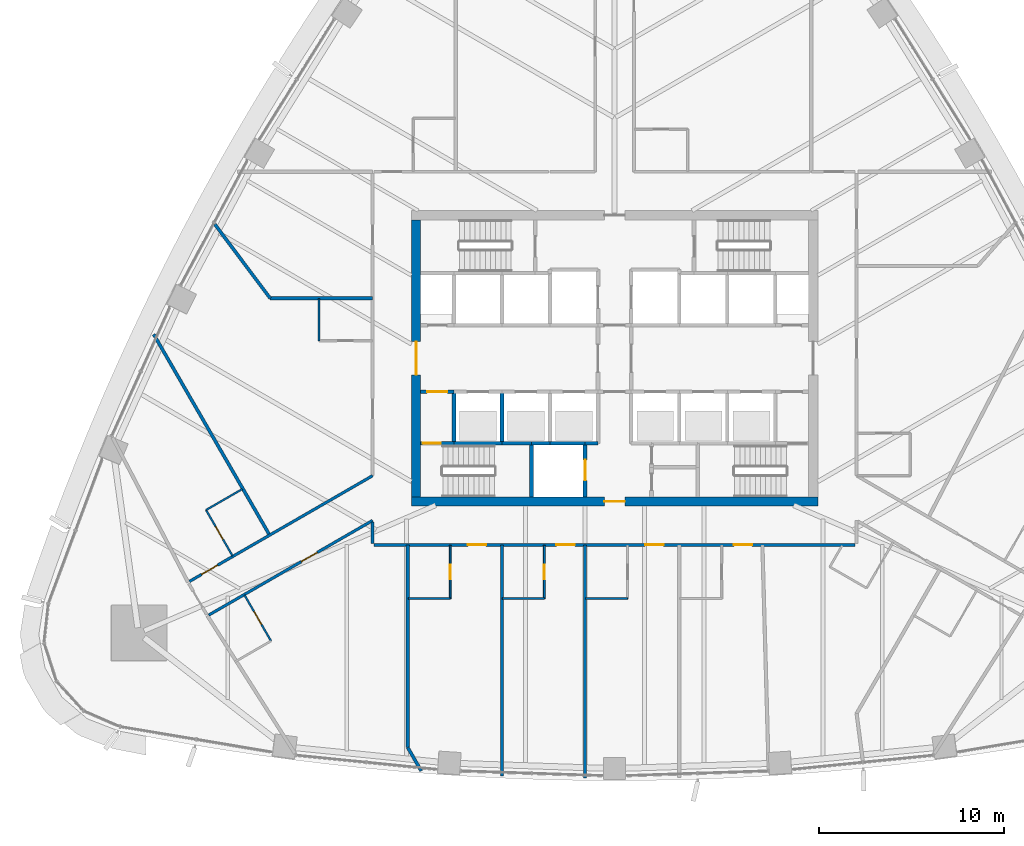
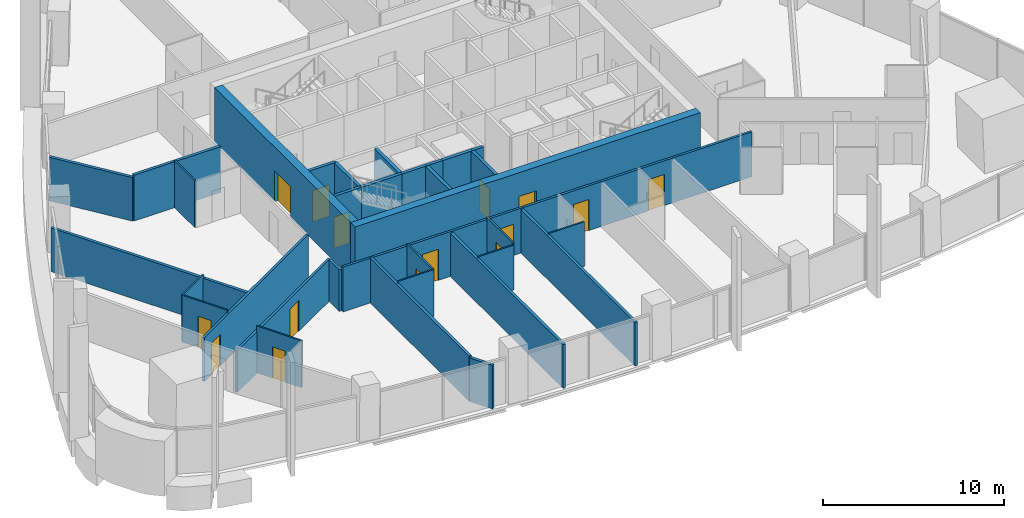
# One storey, part 10 of 22: 33 walls, 15 doors, 15 openings.
"""IFC4 building model written with IfcOpenShell, lengths in metres."""

from ifc_helpers import new_model, si_unit, direction, frame, frame_2d, origin, place, context, subcontext, project, spatial, rectangle, extrude, material, layer, layer_set, type_object, element, fill, save


model = new_model("IFC4")

# Units and contexts
model_context = context("Model", 3, precision=1e-05, world=origin(), true_north=direction((0.0, 1.0)))
body_context = subcontext(model_context, "Body", "Model", "MODEL_VIEW")
ifc_project = project(units=[si_unit("LENGTHUNIT", "METRE"), si_unit("AREAUNIT", "SQUARE_METRE"), si_unit("VOLUMEUNIT", "CUBIC_METRE"), si_unit("PLANEANGLEUNIT", "RADIAN"), si_unit("MASSUNIT", "GRAM", prefix="KILO")], contexts=[model_context])

# Site, building, storey
site_placement = place(None, origin())
site = spatial("IfcSite", under=ifc_project, at=site_placement, CompositionType="ELEMENT")
building_placement = place(site_placement, origin())
building = spatial("IfcBuilding", under=site, at=building_placement, Name="Sierra Prisma Convention Tower", CompositionType="ELEMENT")
storey_placement = place(building_placement, frame((0.0, 0.0, 96.10009765625)))
storey = spatial("IfcBuildingStorey", under=building, at=storey_placement, Name="L20", CompositionType="ELEMENT", Elevation=96.10009765625)

# Wall, opening, door
ifc_material_1 = material(Name="Gypsum board partition", Category="gypsum")
ifc_layer_1 = layer(ifc_material_1, 0.10009765625)
ifc_layer_set_1 = layer_set([ifc_layer_1], Name="Bathroom partition 100")
wall_type_1 = type_object("IfcWallType", Name="Bathroom partition 100", PredefinedType="PARTITIONING", material=ifc_layer_set_1)
wall_1_placement = place(storey_placement, frame((-20.682861328125, -10.694091796875, 0.0), z_axis=(0.0, 0.0, 1.0), x_axis=(-0.500036638401, 0.866004249561, 0.0)))
wall_1 = element("IfcWall", 1, at=wall_1_placement, inside=storey, type_object=wall_type_1, Name="Partition L20 bath 1", PredefinedType="PARTITIONING", context=body_context, shape_type="SweptSolid", body=[
    extrude(rectangle(XDim=2.869873046875, YDim=0.10009765625, at=frame_2d((1.43505859375, 0.0))), origin(), (0.0, 0.0, 1.0), 3.14990234375),
])
opening_1_placement = place(wall_1_placement, frame((1.034912109375, 0.0, 0.0)))
opening_1 = element("IfcOpeningElement", 2, at=opening_1_placement, cuts=wall_1, Name="Opening L20-D005", PredefinedType="OPENING", context=body_context, shape_type="SweptSolid", body=[
    extrude(rectangle(XDim=0.800048828125, YDim=2.10009765625, at=frame_2d((0.39990234375, 1.050048828125))), frame((0.0, 0.050048828125, 0.0), z_axis=(0.0, -1.0, 0.0), x_axis=(1.0, 0.0, 0.0)), (0.0, 0.0, 1.0), 0.10009765625),
])
ifc_material_2 = material(Name="Solid core timber door leaf", Category="wood")
door_type_1 = type_object("IfcDoorType", Name="Door 800x2100 plain", OperationType="SINGLE_SWING_LEFT", PredefinedType="DOOR", material=ifc_material_2)
door_1_placement = place(opening_1_placement, origin())
door_1 = element("IfcDoor", 3, at=door_1_placement, inside=storey, type_object=door_type_1, Name="Door L20 13", OperationType="SINGLE_SWING_LEFT", OverallHeight=2.10009765625, OverallWidth=0.800048828125, PredefinedType="DOOR", context=body_context, shape_type="SweptSolid", body=[
    extrude(rectangle(XDim=0.800048828125, YDim=2.10009765625, at=frame_2d((0.39990234375, 1.050048828125))), frame((0.0, 0.02490234375, 0.0), z_axis=(0.0, -1.0, 0.0), x_axis=(1.0, 0.0, 0.0)), (0.0, 0.0, 1.0), 0.050048828125),
])
fill(opening_1, door_1)

# Wall
wall_2_placement = place(storey_placement, frame((-22.117919921875, -8.208740234375, 0.0), z_axis=(0.0, 0.0, 1.0), x_axis=(0.866017224141, 0.500014167291, 0.0)))
element("IfcWall", 4, at=wall_2_placement, inside=storey, type_object=wall_type_1, Name="Partition L20 bath 2", PredefinedType="PARTITIONING", context=body_context, shape_type="SweptSolid", body=[
    extrude(rectangle(XDim=2.27001953125, YDim=0.10009765625, at=frame_2d((1.135009765625, 0.0))), origin(), (0.0, 0.0, 1.0), 3.14990234375),
])

# Wall, opening, door
wall_3_placement = place(storey_placement, frame((-20.035888671875, -12.814697265625, 0.0), z_axis=(0.0, 0.0, 1.0), x_axis=(0.499999802827, -0.866025517622, 0.0)))
wall_3 = element("IfcWall", 5, at=wall_3_placement, inside=storey, type_object=wall_type_1, Name="Partition L20 bath 3", PredefinedType="PARTITIONING", context=body_context, shape_type="SweptSolid", body=[
    extrude(rectangle(XDim=2.8701171875, YDim=0.10009765625, at=frame_2d((1.43505859375, 0.0))), origin(), (0.0, 0.0, 1.0), 3.14990234375),
])
opening_2_placement = place(wall_3_placement, frame((1.034912109375, 0.0, 0.0)))
opening_2 = element("IfcOpeningElement", 6, at=opening_2_placement, cuts=wall_3, Name="Opening L20-D006", PredefinedType="OPENING", context=body_context, shape_type="SweptSolid", body=[
    extrude(rectangle(XDim=0.800048828125, YDim=2.10009765625, at=frame_2d((0.39990234375, 1.050048828125))), frame((0.0, 0.050048828125, 0.0), z_axis=(0.0, -1.0, 0.0), x_axis=(1.0, 0.0, 0.0)), (0.0, 0.0, 1.0), 0.10009765625),
])
door_2_placement = place(opening_2_placement, origin())
door_2 = element("IfcDoor", 7, at=door_2_placement, inside=storey, type_object=door_type_1, Name="Door L20 16", OperationType="SINGLE_SWING_RIGHT", OverallHeight=2.10009765625, OverallWidth=0.800048828125, PredefinedType="DOOR", context=body_context, shape_type="SweptSolid", body=[
    extrude(rectangle(XDim=0.800048828125, YDim=2.10009765625, at=frame_2d((0.39990234375, 1.050048828125))), frame((0.0, 0.02490234375, 0.0), z_axis=(0.0, -1.0, 0.0), x_axis=(1.0, 0.0, 0.0)), (0.0, 0.0, 1.0), 0.050048828125),
])
fill(opening_2, door_2)

# Wall
wall_4_placement = place(storey_placement, frame((-16.0, 0.94921875, 0.0), z_axis=(0.0, 0.0, 1.0), x_axis=(0.0, 1.0, 0.0)))
element("IfcWall", 8, at=wall_4_placement, inside=storey, type_object=wall_type_1, Name="Partition L20 bath 6", PredefinedType="PARTITIONING", context=body_context, shape_type="SweptSolid", body=[
    extrude(rectangle(XDim=2.269775390625, YDim=0.10009765625, at=frame_2d((1.134765625, 0.0))), origin(), (0.0, 0.0, 1.0), 3.14990234375),
])

# Wall, opening, door
wall_5_placement = place(storey_placement, frame((-8.89990234375, -10.1298828125, 0.0), z_axis=(0.0, 0.0, 1.0), x_axis=(0.0, -1.0, 0.0)))
wall_5 = element("IfcWall", 9, at=wall_5_placement, inside=storey, type_object=wall_type_1, Name="Partition L20 bath 7", PredefinedType="PARTITIONING", context=body_context, shape_type="SweptSolid", body=[
    extrude(rectangle(XDim=2.8701171875, YDim=0.10009765625, at=frame_2d((1.43505859375, 0.0))), origin(), (0.0, 0.0, 1.0), 3.14990234375),
])
opening_3_placement = place(wall_5_placement, frame((1.034912109375, 0.0, 0.0)))
opening_3 = element("IfcOpeningElement", 10, at=opening_3_placement, cuts=wall_5, Name="Opening L20-D007", PredefinedType="OPENING", context=body_context, shape_type="SweptSolid", body=[
    extrude(rectangle(XDim=0.800048828125, YDim=2.10009765625, at=frame_2d((0.39990234375, 1.050048828125))), frame((0.0, 0.050048828125, 0.0), z_axis=(0.0, -1.0, 0.0), x_axis=(1.0, 0.0, 0.0)), (0.0, 0.0, 1.0), 0.10009765625),
])
door_3_placement = place(opening_3_placement, origin())
door_3 = element("IfcDoor", 11, at=door_3_placement, inside=storey, type_object=door_type_1, Name="Door L20 18", OperationType="SINGLE_SWING_RIGHT", OverallHeight=2.10009765625, OverallWidth=0.800048828125, PredefinedType="DOOR", context=body_context, shape_type="SweptSolid", body=[
    extrude(rectangle(XDim=0.800048828125, YDim=2.10009765625, at=frame_2d((0.39990234375, 1.050048828125))), frame((0.0, 0.02490234375, 0.0), z_axis=(0.0, -1.0, 0.0), x_axis=(1.0, 0.0, 0.0)), (0.0, 0.0, 1.0), 0.050048828125),
])
fill(opening_3, door_3)

# Wall
wall_6_placement = place(storey_placement, frame((-8.89990234375, -13.0, 0.0), z_axis=(0.0, 0.0, 1.0), x_axis=(-1.0, 0.0, 0.0)))
element("IfcWall", 12, at=wall_6_placement, inside=storey, type_object=wall_type_1, Name="Partition L20 bath 8", PredefinedType="PARTITIONING", context=body_context, shape_type="SweptSolid", body=[
    extrude(rectangle(XDim=2.27001953125, YDim=0.10009765625, at=frame_2d((1.135009765625, 0.0))), origin(), (0.0, 0.0, 1.0), 3.14990234375),
])

# Wall, opening, door
wall_7_placement = place(storey_placement, frame((-3.800048828125, -10.1298828125, 0.0), z_axis=(0.0, 0.0, 1.0), x_axis=(0.0, -1.0, 0.0)))
wall_7 = element("IfcWall", 13, at=wall_7_placement, inside=storey, type_object=wall_type_1, Name="Partition L20 bath 11", PredefinedType="PARTITIONING", context=body_context, shape_type="SweptSolid", body=[
    extrude(rectangle(XDim=2.8701171875, YDim=0.10009765625, at=frame_2d((1.43505859375, 0.0))), origin(), (0.0, 0.0, 1.0), 3.14990234375),
])
opening_4_placement = place(wall_7_placement, frame((1.034912109375, 0.0, 0.0)))
opening_4 = element("IfcOpeningElement", 14, at=opening_4_placement, cuts=wall_7, Name="Opening L20-D008", PredefinedType="OPENING", context=body_context, shape_type="SweptSolid", body=[
    extrude(rectangle(XDim=0.800048828125, YDim=2.10009765625, at=frame_2d((0.39990234375, 1.050048828125))), frame((0.0, 0.050048828125, 0.0), z_axis=(0.0, -1.0, 0.0), x_axis=(1.0, 0.0, 0.0)), (0.0, 0.0, 1.0), 0.10009765625),
])
door_4_placement = place(opening_4_placement, origin())
door_4 = element("IfcDoor", 15, at=door_4_placement, inside=storey, type_object=door_type_1, Name="Door L20 20", OperationType="SINGLE_SWING_LEFT", OverallHeight=2.10009765625, OverallWidth=0.800048828125, PredefinedType="DOOR", context=body_context, shape_type="SweptSolid", body=[
    extrude(rectangle(XDim=0.800048828125, YDim=2.10009765625, at=frame_2d((0.39990234375, 1.050048828125))), frame((0.0, 0.02490234375, 0.0), z_axis=(0.0, -1.0, 0.0), x_axis=(1.0, 0.0, 0.0)), (0.0, 0.0, 1.0), 0.050048828125),
])
fill(opening_4, door_4)

# Walls
for number, where, z_axis, x_axis, name in (
    (16, (-3.800048828125, -13.0, 0.0), (0.0, 0.0, 1.0), (-1.0, 0.0, 0.0), "Partition L20 bath 12"),
    (17, (0.699951171875, -13.0, 0.0), (0.0, 0.0, 1.0), (-1.0, 0.0, 0.0), "Partition L20 bath 14"),
):
    element("IfcWall", number, at=place(storey_placement, frame(where, z_axis=z_axis, x_axis=x_axis)), inside=storey, type_object=wall_type_1, Name=name, PredefinedType="PARTITIONING", context=body_context, shape_type="SweptSolid", body=[
        extrude(rectangle(XDim=2.27001953125, YDim=0.10009765625, at=frame_2d((1.135009765625, 0.0))), origin(), (0.0, 0.0, 1.0), 3.016845703125),
    ])

# Wall, opening, door
ifc_material_3 = material(Name="Concrete C30/37", Category="concrete")
ifc_layer_2 = layer(ifc_material_3, 0.199951171875)
ifc_layer_set_2 = layer_set([ifc_layer_2], Name="Core wall RC 200 C30/37")
wall_type_2 = type_object("IfcWallType", Name="Core wall RC 200 C30/37", PredefinedType="SOLIDWALL", material=ifc_layer_set_2)
wall_8_placement = place(storey_placement, frame((-10.5, -4.60009765625, 0.0), z_axis=(0.0, 0.0, 1.0), x_axis=(1.0, 0.0, 0.0)))
wall_8 = element("IfcWall", 18, at=wall_8_placement, inside=storey, type_object=wall_type_2, Name="Core wall L20 1", PredefinedType="SOLIDWALL", context=body_context, shape_type="SweptSolid", body=[
    extrude(rectangle(XDim=1.800048828125, YDim=0.199951171875, at=frame_2d((0.89990234375, 0.0))), origin(), (0.0, 0.0, 1.0), 3.5498046875),
])
opening_5_placement = place(wall_8_placement, frame((0.10009765625, 0.0, 0.0)))
opening_5 = element("IfcOpeningElement", 19, at=opening_5_placement, cuts=wall_8, Name="Opening L20-D032", PredefinedType="OPENING", context=body_context, shape_type="SweptSolid", body=[
    extrude(rectangle(XDim=1.0, YDim=2.10009765625, at=frame_2d((0.5, 1.050048828125))), frame((0.0, 0.10009765625, 0.0), z_axis=(0.0, -1.0, 0.0), x_axis=(1.0, 0.0, 0.0)), (0.0, 0.0, 1.0), 0.199951171875),
])
ifc_material_4 = material(Name="Steel fire door leaf", Category="steel")
door_type_2 = type_object("IfcDoorType", Name="Door 1000x2100 FD90S", OperationType="SINGLE_SWING_LEFT", PredefinedType="DOOR", material=ifc_material_4)
door_5_placement = place(opening_5_placement, origin())
door_5 = element("IfcDoor", 20, at=door_5_placement, inside=storey, type_object=door_type_2, Name="Door L20 51", OperationType="SINGLE_SWING_LEFT", OverallHeight=2.10009765625, OverallWidth=1.0, PredefinedType="DOOR", context=body_context, shape_type="SweptSolid", body=[
    extrude(rectangle(XDim=1.0, YDim=2.10009765625, at=frame_2d((0.5, 1.050048828125))), frame((0.0, 0.02490234375, 0.0), z_axis=(0.0, -1.0, 0.0), x_axis=(1.0, 0.0, 0.0)), (0.0, 0.0, 1.0), 0.050048828125),
])
fill(opening_5, door_5)

wall_9_placement = place(storey_placement, frame((-10.5, -1.800048828125, 0.0), z_axis=(0.0, 0.0, 1.0), x_axis=(1.0, 0.0, 0.0)))
wall_9 = element("IfcWall", 21, at=wall_9_placement, inside=storey, type_object=wall_type_2, Name="Core wall L20 2", PredefinedType="SOLIDWALL", context=body_context, shape_type="SweptSolid", body=[
    extrude(rectangle(XDim=1.800048828125, YDim=0.199951171875, at=frame_2d((0.89990234375, 0.0))), origin(), (0.0, 0.0, 1.0), 3.5498046875),
])
opening_6_placement = place(wall_9_placement, frame((0.35009765625, 0.0, 0.0)))
opening_6 = element("IfcOpeningElement", 22, at=opening_6_placement, cuts=wall_9, Name="Opening L20-D026", PredefinedType="OPENING", context=body_context, shape_type="SweptSolid", body=[
    extrude(rectangle(XDim=1.10009765625, YDim=2.10009765625, at=frame_2d((0.550048828125, 1.050048828125))), frame((0.0, 0.10009765625, 0.0), z_axis=(0.0, -1.0, 0.0), x_axis=(1.0, 0.0, 0.0)), (0.0, 0.0, 1.0), 0.199951171875),
])
ifc_material_5 = material(Name="Steel fire door leaf", Category="steel")
door_type_3 = type_object("IfcDoorType", Name="Door 1100x2100 FD90S", OperationType="SINGLE_SWING_LEFT", PredefinedType="DOOR", material=ifc_material_5)
door_6_placement = place(opening_6_placement, origin())
door_6 = element("IfcDoor", 23, at=door_6_placement, inside=storey, type_object=door_type_3, Name="Door L20 45", OperationType="SINGLE_SWING_LEFT", OverallHeight=2.10009765625, OverallWidth=1.10009765625, PredefinedType="DOOR", context=body_context, shape_type="SweptSolid", body=[
    extrude(rectangle(XDim=1.10009765625, YDim=2.10009765625, at=frame_2d((0.550048828125, 1.050048828125))), frame((0.0, 0.02490234375, 0.0), z_axis=(0.0, -1.0, 0.0), x_axis=(1.0, 0.0, 0.0)), (0.0, 0.0, 1.0), 0.050048828125),
])
fill(opening_6, door_6)

# Walls
wall_10_placement = place(storey_placement, frame((-8.699951171875, -4.60009765625, 0.0), z_axis=(0.0, 0.0, 1.0), x_axis=(1.0, 0.0, 0.0)))
element("IfcWall", 24, at=wall_10_placement, inside=storey, type_object=wall_type_2, Name="Core wall L20 5", PredefinedType="SOLIDWALL", context=body_context, shape_type="SweptSolid", body=[
    extrude(rectangle(XDim=2.599853515625, YDim=0.199951171875, at=frame_2d((1.2998046875, 0.0))), origin(), (0.0, 0.0, 1.0), 3.5498046875),
])
wall_11_placement = place(storey_placement, frame((-8.699951171875, -4.60009765625, 0.0), z_axis=(0.0, 0.0, 1.0), x_axis=(0.0, 1.0, 0.0)))
element("IfcWall", 25, at=wall_11_placement, inside=storey, type_object=wall_type_2, Name="Core wall L20 6", PredefinedType="SOLIDWALL", context=body_context, shape_type="SweptSolid", body=[
    extrude(rectangle(XDim=2.800048828125, YDim=0.199951171875, at=frame_2d((1.39990234375, 0.0))), origin(), (0.0, 0.0, 1.0), 3.5498046875),
])
wall_12_placement = place(storey_placement, frame((-6.10009765625, -4.60009765625, 0.0), z_axis=(0.0, 0.0, 1.0), x_axis=(1.0, 0.0, 0.0)))
element("IfcWall", 26, at=wall_12_placement, inside=storey, type_object=wall_type_2, Name="Core wall L20 11", PredefinedType="SOLIDWALL", context=body_context, shape_type="SweptSolid", body=[
    extrude(rectangle(XDim=1.60009765625, YDim=0.199951171875, at=frame_2d((0.800048828125, 0.0))), origin(), (0.0, 0.0, 1.0), 3.5498046875),
])
wall_13_placement = place(storey_placement, frame((-6.10009765625, -4.60009765625, 0.0), z_axis=(0.0, 0.0, 1.0), x_axis=(0.0, 1.0, 0.0)))
element("IfcWall", 27, at=wall_13_placement, inside=storey, type_object=wall_type_2, Name="Core wall L20 12", PredefinedType="SOLIDWALL", context=body_context, shape_type="SweptSolid", body=[
    extrude(rectangle(XDim=2.800048828125, YDim=0.199951171875, at=frame_2d((1.39990234375, 0.0))), origin(), (0.0, 0.0, 1.0), 3.5498046875),
])
wall_14_placement = place(storey_placement, frame((-4.5, -4.60009765625, 0.0), z_axis=(0.0, 0.0, 1.0), x_axis=(0.0, -1.0, 0.0)))
element("IfcWall", 28, at=wall_14_placement, inside=storey, type_object=wall_type_2, Name="Core wall L20 17", PredefinedType="SOLIDWALL", context=body_context, shape_type="SweptSolid", body=[
    extrude(rectangle(XDim=2.89990234375, YDim=0.199951171875, at=frame_2d((1.449951171875, 0.0))), origin(), (0.0, 0.0, 1.0), 3.5498046875),
])
wall_15_placement = place(storey_placement, frame((-4.5, -4.60009765625, 0.0), z_axis=(0.0, 0.0, 1.0), x_axis=(1.0, 0.0, 0.0)))
element("IfcWall", 29, at=wall_15_placement, inside=storey, type_object=wall_type_2, Name="Core wall L20 18", PredefinedType="SOLIDWALL", context=body_context, shape_type="SweptSolid", body=[
    extrude(rectangle(XDim=1.0, YDim=0.199951171875, at=frame_2d((0.5, 0.0))), origin(), (0.0, 0.0, 1.0), 3.5498046875),
])
wall_16_placement = place(storey_placement, frame((-3.5, -4.60009765625, 0.0), z_axis=(0.0, 0.0, 1.0), x_axis=(1.0, 0.0, 0.0)))
element("IfcWall", 30, at=wall_16_placement, inside=storey, type_object=wall_type_2, Name="Core wall L20 21", PredefinedType="SOLIDWALL", context=body_context, shape_type="SweptSolid", body=[
    extrude(rectangle(XDim=1.89990234375, YDim=0.199951171875, at=frame_2d((0.949951171875, 0.0))), origin(), (0.0, 0.0, 1.0), 3.5498046875),
])

# Wall, opening, door
wall_17_placement = place(storey_placement, frame((-1.60009765625, -7.5, 0.0), z_axis=(0.0, 0.0, 1.0), x_axis=(0.0, 1.0, 0.0)))
wall_17 = element("IfcWall", 31, at=wall_17_placement, inside=storey, type_object=wall_type_2, Name="Core wall L20 29", PredefinedType="SOLIDWALL", context=body_context, shape_type="SweptSolid", body=[
    extrude(rectangle(XDim=2.89990234375, YDim=0.199951171875, at=frame_2d((1.449951171875, 0.0))), origin(), (0.0, 0.0, 1.0), 3.5498046875),
])
opening_7_placement = place(wall_17_placement, frame((0.89990234375, 0.0, 0.0)))
opening_7 = element("IfcOpeningElement", 32, at=opening_7_placement, cuts=wall_17, Name="Opening L20-D023", PredefinedType="OPENING", context=body_context, shape_type="SweptSolid", body=[
    extrude(rectangle(XDim=1.10009765625, YDim=2.10009765625, at=frame_2d((0.550048828125, 1.050048828125))), frame((0.0, 0.10009765625, 0.0), z_axis=(0.0, -1.0, 0.0), x_axis=(1.0, 0.0, 0.0)), (0.0, 0.0, 1.0), 0.199951171875),
])
ifc_material_6 = material(Name="Steel fire door leaf", Category="steel")
door_type_4 = type_object("IfcDoorType", Name="Door 1100x2100 EI 90 sliding lift landing", OperationType="SLIDING_TO_LEFT", PredefinedType="DOOR", material=ifc_material_6)
door_7_placement = place(opening_7_placement, origin())
door_7 = element("IfcDoor", 33, at=door_7_placement, inside=storey, type_object=door_type_4, Name="Door L20 42", OperationType="SLIDING_TO_LEFT", OverallHeight=2.10009765625, OverallWidth=1.10009765625, PredefinedType="DOOR", context=body_context, shape_type="SweptSolid", body=[
    extrude(rectangle(XDim=1.10009765625, YDim=2.10009765625, at=frame_2d((0.550048828125, 1.050048828125))), frame((0.0, 0.02490234375, 0.0), z_axis=(0.0, -1.0, 0.0), x_axis=(1.0, 0.0, 0.0)), (0.0, 0.0, 1.0), 0.050048828125),
])
fill(opening_7, door_7)

# Wall
wall_18_placement = place(storey_placement, frame((-1.60009765625, -4.60009765625, 0.0), z_axis=(0.0, 0.0, 1.0), x_axis=(1.0, 0.0, 0.0)))
element("IfcWall", 34, at=wall_18_placement, inside=storey, type_object=wall_type_2, Name="Core wall L20 30", PredefinedType="SOLIDWALL", context=body_context, shape_type="SweptSolid", body=[
    extrude(rectangle(XDim=0.7001953125, YDim=0.199951171875, at=frame_2d((0.35009765625, 0.0))), origin(), (0.0, 0.0, 1.0), 3.5498046875),
])

# Wall, opening, door
ifc_material_7 = material(Name="Concrete C60/75", Category="concrete")
ifc_layer_3 = layer(ifc_material_7, 0.5)
ifc_layer_set_3 = layer_set([ifc_layer_3], Name="Core wall RC 500 C60/75")
wall_type_3 = type_object("IfcWallType", Name="Core wall RC 500 C60/75", PredefinedType="SHEAR", material=ifc_layer_set_3)
wall_19_placement = place(storey_placement, frame((-11.0, -7.75, 0.0), z_axis=(0.0, 0.0, 1.0), x_axis=(1.0, 0.0, 0.0)))
wall_19 = element("IfcWall", 35, at=wall_19_placement, inside=storey, type_object=wall_type_3, Name="Core wall S L20", PredefinedType="SHEAR", context=body_context, shape_type="SweptSolid", body=[
    extrude(rectangle(XDim=22.0, YDim=0.5, at=frame_2d((11.0, 0.0))), origin(), (0.0, 0.0, 1.0), 3.699951171875),
])
opening_8_placement = place(wall_19_placement, frame((10.449951171875, 0.0, 0.0)))
opening_8 = element("IfcOpeningElement", 36, at=opening_8_placement, cuts=wall_19, Name="Opening L20-D059", PredefinedType="OPENING", context=body_context, shape_type="SweptSolid", body=[
    extrude(rectangle(XDim=1.10009765625, YDim=2.10009765625, at=frame_2d((0.550048828125, 1.050048828125))), frame((0.0, 0.25, 0.0), z_axis=(0.0, -1.0, 0.0), x_axis=(1.0, 0.0, 0.0)), (0.0, 0.0, 1.0), 0.5),
])
ifc_material_8 = material(Name="Steel fire door leaf", Category="steel")
door_type_5 = type_object("IfcDoorType", Name="Door 1100x2100 FD30S", OperationType="SINGLE_SWING_LEFT", PredefinedType="DOOR", material=ifc_material_8)
door_8_placement = place(opening_8_placement, origin())
door_8 = element("IfcDoor", 37, at=door_8_placement, inside=storey, type_object=door_type_5, Name="Door L20 60", OperationType="SINGLE_SWING_RIGHT", OverallHeight=2.10009765625, OverallWidth=1.10009765625, PredefinedType="DOOR", context=body_context, shape_type="SweptSolid", body=[
    extrude(rectangle(XDim=1.10009765625, YDim=2.10009765625, at=frame_2d((0.550048828125, 1.050048828125))), frame((0.0, 0.02490234375, 0.0), z_axis=(0.0, -1.0, 0.0), x_axis=(1.0, 0.0, 0.0)), (0.0, 0.0, 1.0), 0.050048828125),
])
fill(opening_8, door_8)

wall_20_placement = place(storey_placement, frame((-10.75, -7.5, 0.0), z_axis=(0.0, 0.0, 1.0), x_axis=(0.0, 1.0, 0.0)))
wall_20 = element("IfcWall", 38, at=wall_20_placement, inside=storey, type_object=wall_type_3, Name="Core wall W L20", PredefinedType="SHEAR", context=body_context, shape_type="SweptSolid", body=[
    extrude(rectangle(XDim=15.0, YDim=0.5, at=frame_2d((7.5, 0.0))), origin(), (0.0, 0.0, 1.0), 3.699951171875),
])
opening_9_placement = place(wall_20_placement, frame((6.60009765625, 0.0, 0.0)))
opening_9 = element("IfcOpeningElement", 39, at=opening_9_placement, cuts=wall_20, Name="Opening L20-D060", PredefinedType="OPENING", context=body_context, shape_type="SweptSolid", body=[
    extrude(rectangle(XDim=1.800048828125, YDim=2.10009765625, at=frame_2d((0.89990234375, 1.050048828125))), frame((0.0, 0.25, 0.0), z_axis=(0.0, -1.0, 0.0), x_axis=(1.0, 0.0, 0.0)), (0.0, 0.0, 1.0), 0.5),
])
ifc_material_9 = material(Name="Steel fire door leaf", Category="steel")
door_type_6 = type_object("IfcDoorType", Name="Door 1800x2100 FD60S", OperationType="DOUBLE_DOOR_SINGLE_SWING", PredefinedType="DOOR", material=ifc_material_9)
door_9_placement = place(opening_9_placement, origin())
door_9 = element("IfcDoor", 40, at=door_9_placement, inside=storey, type_object=door_type_6, Name="Door L20 57", OperationType="DOUBLE_DOOR_SINGLE_SWING", OverallHeight=2.10009765625, OverallWidth=1.800048828125, PredefinedType="DOOR", context=body_context, shape_type="SweptSolid", body=[
    extrude(rectangle(XDim=1.800048828125, YDim=2.10009765625, at=frame_2d((0.89990234375, 1.050048828125))), frame((0.0, 0.02490234375, 0.0), z_axis=(0.0, -1.0, 0.0), x_axis=(1.0, 0.0, 0.0)), (0.0, 0.0, 1.0), 0.050048828125),
])
fill(opening_9, door_9)

ifc_material_10 = material(Name="Gypsum board partition", Category="gypsum")
ifc_layer_4 = layer(ifc_material_10, 0.14990234375)
ifc_layer_set_4 = layer_set([ifc_layer_4], Name="Corridor wall 150 gypsum EI 60")
wall_type_4 = type_object("IfcWallType", Name="Corridor wall 150 gypsum EI 60", PredefinedType="PARTITIONING", material=ifc_layer_set_4)
wall_21_placement = place(storey_placement, frame((-13.10009765625, -6.350830078125, 0.0), z_axis=(0.0, 0.0, 1.0), x_axis=(-0.866025210421, -0.500000334915, 0.0)))
wall_21 = element("IfcWall", 41, at=wall_21_placement, inside=storey, type_object=wall_type_4, Name="Partition L20 corr 3", PredefinedType="PARTITIONING", context=body_context, shape_type="SweptSolid", body=[
    extrude(rectangle(XDim=11.45849609375, YDim=0.14990234375, at=frame_2d((5.729248046875, 0.0))), origin(), (0.0, 0.0, 1.0), 2.947021484375),
])
opening_10_placement = place(wall_21_placement, frame((9.688720703125, 0.0, 0.0)))
opening_10 = element("IfcOpeningElement", 42, at=opening_10_placement, cuts=wall_21, Name="Opening L20-D045", PredefinedType="OPENING", context=body_context, shape_type="SweptSolid", body=[
    extrude(rectangle(XDim=1.0, YDim=2.10009765625, at=frame_2d((0.5, 1.050048828125))), frame((0.0, 0.074951171875, 0.0), z_axis=(0.0, -1.0, 0.0), x_axis=(1.0, 0.0, 0.0)), (0.0, 0.0, 1.0), 0.14990234375),
])
ifc_material_11 = material(Name="Steel fire door leaf", Category="steel")
door_type_7 = type_object("IfcDoorType", Name="Door 1000x2100 FD30S", OperationType="SINGLE_SWING_LEFT", PredefinedType="DOOR", material=ifc_material_11)
door_10_placement = place(opening_10_placement, origin())
door_10 = element("IfcDoor", 43, at=door_10_placement, inside=storey, type_object=door_type_7, Name="Door L20 12", OperationType="SINGLE_SWING_LEFT", OverallHeight=2.10009765625, OverallWidth=1.0, PredefinedType="DOOR", context=body_context, shape_type="SweptSolid", body=[
    extrude(rectangle(XDim=1.0, YDim=2.10009765625, at=frame_2d((0.5, 1.050048828125))), frame((0.0, 0.02490234375, 0.0), z_axis=(0.0, -1.0, 0.0), x_axis=(1.0, 0.0, 0.0)), (0.0, 0.0, 1.0), 0.050048828125),
])
fill(opening_10, door_10)

wall_22_placement = place(storey_placement, frame((-21.973388671875, -13.898681640625, 0.0), z_axis=(0.0, 0.0, 1.0), x_axis=(0.866023294142, 0.50000365399, 0.0)))
wall_22 = element("IfcWall", 44, at=wall_22_placement, inside=storey, type_object=wall_type_4, Name="Partition L20 corr 4", PredefinedType="PARTITIONING", context=body_context, shape_type="SweptSolid", body=[
    extrude(rectangle(XDim=10.24609375, YDim=0.14990234375, at=frame_2d((5.123046875, 0.0))), origin(), (0.0, 0.0, 1.0), 2.796875),
])
opening_11_placement = place(wall_22_placement, frame((5.783203125, 0.0, 0.0)))
opening_11 = element("IfcOpeningElement", 45, at=opening_11_placement, cuts=wall_22, Name="Opening L20-D047", PredefinedType="OPENING", context=body_context, shape_type="SweptSolid", body=[
    extrude(rectangle(XDim=1.0, YDim=2.10009765625, at=frame_2d((0.5, 1.050048828125))), frame((0.0, 0.074951171875, 0.0), z_axis=(0.0, -1.0, 0.0), x_axis=(1.0, 0.0, 0.0)), (0.0, 0.0, 1.0), 0.14990234375),
])
door_11_placement = place(opening_11_placement, origin())
door_11 = element("IfcDoor", 46, at=door_11_placement, inside=storey, type_object=door_type_7, Name="Door L20 15", OperationType="SINGLE_SWING_LEFT", OverallHeight=2.10009765625, OverallWidth=1.0, PredefinedType="DOOR", context=body_context, shape_type="SweptSolid", body=[
    extrude(rectangle(XDim=1.0, YDim=2.10009765625, at=frame_2d((0.5, 1.050048828125))), frame((0.0, 0.02490234375, 0.0), z_axis=(0.0, -1.0, 0.0), x_axis=(1.0, 0.0, 0.0)), (0.0, 0.0, 1.0), 0.050048828125),
])
fill(opening_11, door_11)

# Wall
wall_23_placement = place(storey_placement, frame((-13.10009765625, -8.8671875, 0.0), z_axis=(0.0, 0.0, 1.0), x_axis=(0.0, -1.0, 0.0)))
element("IfcWall", 47, at=wall_23_placement, inside=storey, type_object=wall_type_4, Name="Partition L20 corr 5", PredefinedType="PARTITIONING", context=body_context, shape_type="SweptSolid", body=[
    extrude(rectangle(XDim=1.15283203125, YDim=0.14990234375, at=frame_2d((0.576416015625, 0.0))), origin(), (0.0, 0.0, 1.0), 2.796875),
])

# Wall, openings, doors
wall_24_placement = place(storey_placement, frame((-13.02001953125, -10.10009765625, 0.0), z_axis=(0.0, 0.0, 1.0), x_axis=(1.0, 0.0, 0.0)))
wall_24 = element("IfcWall", 48, at=wall_24_placement, inside=storey, type_object=wall_type_4, Name="Partition L20 corr 6", PredefinedType="PARTITIONING", context=body_context, shape_type="SweptSolid", body=[
    extrude(rectangle(XDim=26.0400390625, YDim=0.14990234375, at=frame_2d((13.02001953125, 0.0))), origin(), (0.0, 0.0, 1.0), 3.016845703125),
])
opening_12_placement = place(wall_24_placement, frame((5.070068359375, 0.0, 0.0)))
opening_12 = element("IfcOpeningElement", 49, at=opening_12_placement, cuts=wall_24, Name="Opening L20-D048", PredefinedType="OPENING", context=body_context, shape_type="SweptSolid", body=[
    extrude(rectangle(XDim=1.0, YDim=2.10009765625, at=frame_2d((0.5, 1.050048828125))), frame((0.0, 0.074951171875, 0.0), z_axis=(0.0, -1.0, 0.0), x_axis=(1.0, 0.0, 0.0)), (0.0, 0.0, 1.0), 0.14990234375),
])
opening_13_placement = place(wall_24_placement, frame((9.8701171875, 0.0, 0.0)))
opening_13 = element("IfcOpeningElement", 50, at=opening_13_placement, cuts=wall_24, Name="Opening L20-D049", PredefinedType="OPENING", context=body_context, shape_type="SweptSolid", body=[
    extrude(rectangle(XDim=1.0, YDim=2.10009765625, at=frame_2d((0.5, 1.050048828125))), frame((0.0, 0.074951171875, 0.0), z_axis=(0.0, -1.0, 0.0), x_axis=(1.0, 0.0, 0.0)), (0.0, 0.0, 1.0), 0.14990234375),
])
opening_14_placement = place(wall_24_placement, frame((14.669921875, 0.0, 0.0)))
opening_14 = element("IfcOpeningElement", 51, at=opening_14_placement, cuts=wall_24, Name="Opening L20-D050", PredefinedType="OPENING", context=body_context, shape_type="SweptSolid", body=[
    extrude(rectangle(XDim=1.0, YDim=2.10009765625, at=frame_2d((0.5, 1.050048828125))), frame((0.0, 0.074951171875, 0.0), z_axis=(0.0, -1.0, 0.0), x_axis=(1.0, 0.0, 0.0)), (0.0, 0.0, 1.0), 0.14990234375),
])
opening_15_placement = place(wall_24_placement, frame((19.469970703125, 0.0, 0.0)))
opening_15 = element("IfcOpeningElement", 52, at=opening_15_placement, cuts=wall_24, Name="Opening L20-D051", PredefinedType="OPENING", context=body_context, shape_type="SweptSolid", body=[
    extrude(rectangle(XDim=1.0, YDim=2.10009765625, at=frame_2d((0.5, 1.050048828125))), frame((0.0, 0.074951171875, 0.0), z_axis=(0.0, -1.0, 0.0), x_axis=(1.0, 0.0, 0.0)), (0.0, 0.0, 1.0), 0.14990234375),
])
door_12_placement = place(opening_12_placement, origin())
door_12 = element("IfcDoor", 53, at=door_12_placement, inside=storey, type_object=door_type_7, Name="Door L20 17", OperationType="SINGLE_SWING_LEFT", OverallHeight=2.10009765625, OverallWidth=1.0, PredefinedType="DOOR", context=body_context, shape_type="SweptSolid", body=[
    extrude(rectangle(XDim=1.0, YDim=2.10009765625, at=frame_2d((0.5, 1.050048828125))), frame((0.0, 0.02490234375, 0.0), z_axis=(0.0, -1.0, 0.0), x_axis=(1.0, 0.0, 0.0)), (0.0, 0.0, 1.0), 0.050048828125),
])
fill(opening_12, door_12)
door_13_placement = place(opening_13_placement, origin())
door_13 = element("IfcDoor", 54, at=door_13_placement, inside=storey, type_object=door_type_7, Name="Door L20 19", OperationType="SINGLE_SWING_LEFT", OverallHeight=2.10009765625, OverallWidth=1.0, PredefinedType="DOOR", context=body_context, shape_type="SweptSolid", body=[
    extrude(rectangle(XDim=1.0, YDim=2.10009765625, at=frame_2d((0.5, 1.050048828125))), frame((0.0, 0.02490234375, 0.0), z_axis=(0.0, -1.0, 0.0), x_axis=(1.0, 0.0, 0.0)), (0.0, 0.0, 1.0), 0.050048828125),
])
fill(opening_13, door_13)
door_14_placement = place(opening_14_placement, origin())
door_14 = element("IfcDoor", 55, at=door_14_placement, inside=storey, type_object=door_type_7, Name="Door L20 21", OperationType="SINGLE_SWING_LEFT", OverallHeight=2.10009765625, OverallWidth=1.0, PredefinedType="DOOR", context=body_context, shape_type="SweptSolid", body=[
    extrude(rectangle(XDim=1.0, YDim=2.10009765625, at=frame_2d((0.5, 1.050048828125))), frame((0.0, 0.02490234375, 0.0), z_axis=(0.0, -1.0, 0.0), x_axis=(1.0, 0.0, 0.0)), (0.0, 0.0, 1.0), 0.050048828125),
])
fill(opening_14, door_14)
door_15_placement = place(opening_15_placement, origin())
door_15 = element("IfcDoor", 56, at=door_15_placement, inside=storey, type_object=door_type_7, Name="Door L20 23", OperationType="SINGLE_SWING_LEFT", OverallHeight=2.10009765625, OverallWidth=1.0, PredefinedType="DOOR", context=body_context, shape_type="SweptSolid", body=[
    extrude(rectangle(XDim=1.0, YDim=2.10009765625, at=frame_2d((0.5, 1.050048828125))), frame((0.0, 0.02490234375, 0.0), z_axis=(0.0, -1.0, 0.0), x_axis=(1.0, 0.0, 0.0)), (0.0, 0.0, 1.0), 0.050048828125),
])
fill(opening_15, door_15)

# Walls
ifc_material_12 = material(Name="Acoustic gypsum board partition", Category="gypsum")
ifc_layer_5 = layer(ifc_material_12, 0.175048828125)
ifc_layer_set_5 = layer_set([ifc_layer_5], Name="Guest room party wall 175 acoustic EI 60")
wall_type_5 = type_object("IfcWallType", Name="Guest room party wall 175 acoustic EI 60", PredefinedType="PARTITIONING", material=ifc_layer_set_5)
wall_25_placement = place(storey_placement, frame((-18.676025390625, -9.5703125, 0.0), z_axis=(0.0, 0.0, 1.0), x_axis=(-0.500001872765, 0.86602432254, 0.0)))
element("IfcWall", 57, at=wall_25_placement, inside=storey, type_object=wall_type_5, Name="Partition L20 hparty 2", PredefinedType="PARTITIONING", context=body_context, shape_type="SweptSolid", body=[
    extrude(rectangle(XDim=12.55517578125, YDim=0.175048828125, at=frame_2d((6.277587890625, 0.0))), origin(), (0.0, 0.0, 1.0), 2.933837890625),
])
wall_26_placement = place(storey_placement, frame((-21.644287109375, 7.259033203125, 0.0), z_axis=(0.0, 0.0, 1.0), x_axis=(0.599258893989, -0.800555293515, 0.0)))
element("IfcWall", 58, at=wall_26_placement, inside=storey, type_object=wall_type_5, Name="Partition L20 hparty 4", PredefinedType="PARTITIONING", context=body_context, shape_type="SweptSolid", body=[
    extrude(rectangle(XDim=5.009033203125, YDim=0.175048828125, at=frame_2d((2.50439453125, 0.0))), origin(), (0.0, 0.0, 1.0), 2.933837890625),
])
wall_27_placement = place(storey_placement, frame((-18.642578125, 3.2490234375, 0.0), z_axis=(0.0, 0.0, 1.0), x_axis=(1.0, 0.0, 0.0)))
element("IfcWall", 59, at=wall_27_placement, inside=storey, type_object=wall_type_5, Name="Partition L20 hparty 5", PredefinedType="PARTITIONING", context=body_context, shape_type="SweptSolid", body=[
    extrude(rectangle(XDim=5.54248046875, YDim=0.175048828125, at=frame_2d((2.771240234375, 0.0))), origin(), (0.0, 0.0, 1.0), 3.093017578125),
])
wall_28_placement = place(storey_placement, frame((-11.199951171875, -10.10009765625, 0.0), z_axis=(0.0, 0.0, 1.0), x_axis=(0.0, -1.0, 0.0)))
element("IfcWall", 60, at=wall_28_placement, inside=storey, type_object=wall_type_5, Name="Partition L20 hparty 7", PredefinedType="PARTITIONING", context=body_context, shape_type="SweptSolid", body=[
    extrude(rectangle(XDim=10.966552734375, YDim=0.175048828125, at=frame_2d((5.4833984375, 0.0))), origin(), (0.0, 0.0, 1.0), 3.016845703125),
])
wall_29_placement = place(storey_placement, frame((-11.199951171875, -21.066650390625, 0.0), z_axis=(0.0, 0.0, 1.0), x_axis=(0.499934806282, -0.866063040123, 0.0)))
element("IfcWall", 61, at=wall_29_placement, inside=storey, type_object=wall_type_5, Name="Partition L20 hparty 8", PredefinedType="PARTITIONING", context=body_context, shape_type="SweptSolid", body=[
    extrude(rectangle(XDim=1.459716796875, YDim=0.175048828125, at=frame_2d((0.72998046875, 0.0))), origin(), (0.0, 0.0, 1.0), 2.933837890625),
])
wall_30_placement = place(storey_placement, frame((-6.10009765625, -10.10009765625, 0.0), z_axis=(0.0, 0.0, 1.0), x_axis=(0.0, -1.0, 0.0)))
element("IfcWall", 62, at=wall_30_placement, inside=storey, type_object=wall_type_5, Name="Partition L20 hparty 10", PredefinedType="PARTITIONING", context=body_context, shape_type="SweptSolid", body=[
    extrude(rectangle(XDim=12.50048828125, YDim=0.175048828125, at=frame_2d((6.250244140625, 0.0))), origin(), (0.0, 0.0, 1.0), 2.933837890625),
])
wall_31_placement = place(storey_placement, frame((-1.60009765625, -10.10009765625, 0.0), z_axis=(0.0, 0.0, 1.0), x_axis=(0.0, -1.0, 0.0)))
element("IfcWall", 63, at=wall_31_placement, inside=storey, type_object=wall_type_5, Name="Partition L20 hparty 11", PredefinedType="PARTITIONING", context=body_context, shape_type="SweptSolid", body=[
    extrude(rectangle(XDim=12.62841796875, YDim=0.175048828125, at=frame_2d((6.314208984375, 0.0))), origin(), (0.0, 0.0, 1.0), 2.933837890625),
])

save(model, "model.ifc")
